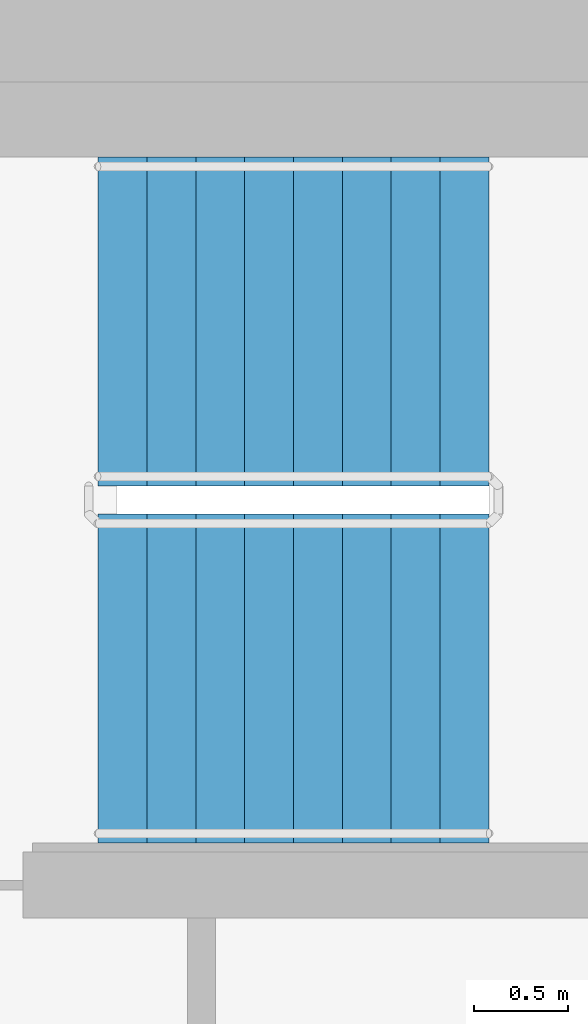
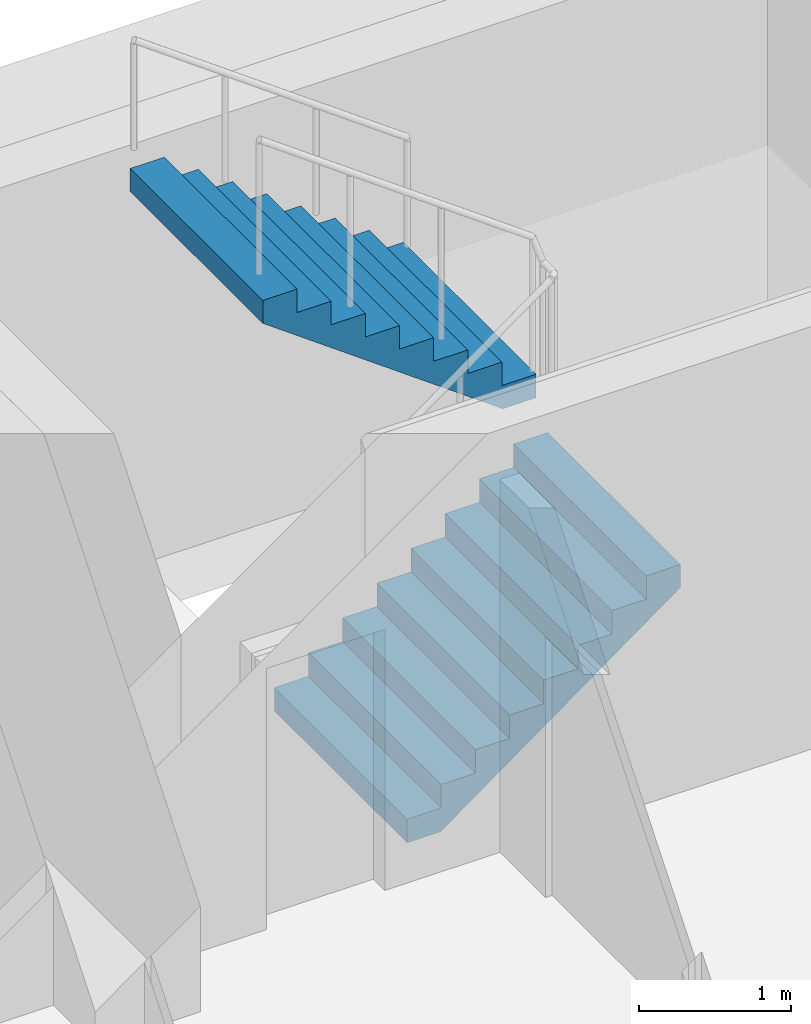
# One storey, part 15 of 20: 2 stair flights, 1 element without a shape of its own.
"""IFC4 building model written with IfcOpenShell, lengths in metres."""

from ifc_helpers import new_model, si_unit, direction, frame, origin, place, context, subcontext, project, spatial, faceted_brep, material, type_object, element, aggregate, save


model = new_model("IFC4")

# Units and contexts
model_context = context("Model", 3, precision=1e-05, world=origin(), true_north=direction((0.0, 1.0)))
body_context = subcontext(model_context, "Body", "Model", "MODEL_VIEW")
ifc_project = project(units=[si_unit("LENGTHUNIT", "METRE"), si_unit("AREAUNIT", "SQUARE_METRE"), si_unit("VOLUMEUNIT", "CUBIC_METRE"), si_unit("PLANEANGLEUNIT", "RADIAN"), si_unit("MASSUNIT", "GRAM", prefix="KILO")], contexts=[model_context])

# Site, building, storey
site_placement = place(None, origin())
site = spatial("IfcSite", under=ifc_project, at=site_placement, CompositionType="ELEMENT")
building_placement = place(site_placement, origin())
building = spatial("IfcBuilding", under=site, at=building_placement, Name="Ipe Terrace Towers", CompositionType="ELEMENT")
storey_placement = place(building_placement, frame((0.0, 0.0, 160.89990234375)))
storey = spatial("IfcBuildingStorey", under=building, at=storey_placement, Name="L44", CompositionType="ELEMENT", Elevation=160.89990234375)

# Stair, stair flights
ifc_material_1 = material(Name="Concrete C30/37", Category="concrete")
stair_type = type_object("IfcStairType", Name="Protected exit stair", PredefinedType="HALF_TURN_STAIR", material=ifc_material_1)
stair_placement = place(storey_placement, origin())
stair = element("IfcStair", 1, at=stair_placement, inside=storey, type_object=stair_type, Name="L44 Exit stair T1-C1", PredefinedType="HALF_TURN_STAIR")
ifc_material_2 = material(Name="Concrete C30/37", Category="concrete")
stair_flight_type = type_object("IfcStairFlightType", Name="Exit stair flight 1750", PredefinedType="STRAIGHT", material=ifc_material_2)
stair_flight_1_placement = place(storey_placement, frame((-26.300048828125, 2.77490234375, 0.0), z_axis=(0.0, 0.0, 1.0), x_axis=(1.0, 0.0, 0.0)))
stair_flight_1 = element("IfcStairFlight", 2, at=stair_flight_1_placement, type_object=stair_flight_type, Name="T1-ST1 flight 1", NumberOfRisers=9, NumberOfTreads=8, PredefinedType="STRAIGHT", RiserHeight=0.188888889, TreadLength=0.26, context=body_context, shape_type="Brep", body=[
    faceted_brep([(0.255126953125, -0.875, 0.0), (2.080078125, -0.875, 1.325927734375), (2.080078125, -0.875, 1.51123046875), (1.820068359375, -0.875, 1.51123046875), (1.820068359375, -0.875, 1.322265625), (1.56005859375, -0.875, 1.322265625), (1.56005859375, -0.875, 1.13330078125), (1.300048828125, -0.875, 1.13330078125), (1.300048828125, -0.875, 0.9443359375), (1.0400390625, -0.875, 0.9443359375), (1.0400390625, -0.875, 0.755615234375), (0.780029296875, -0.875, 0.755615234375), (0.780029296875, -0.875, 0.566650390625), (0.52001953125, -0.875, 0.566650390625), (0.52001953125, -0.875, 0.377685546875), (0.260009765625, -0.875, 0.377685546875), (0.260009765625, -0.875, 0.18896484375), (0.0, -0.875, 0.18896484375), (0.0, -0.875, 0.0), (0.0, 0.875, 0.0), (0.0, 0.875, 0.18896484375), (0.260009765625, 0.875, 0.18896484375), (0.260009765625, 0.875, 0.377685546875), (0.52001953125, 0.875, 0.377685546875), (0.52001953125, 0.875, 0.566650390625), (0.780029296875, 0.875, 0.566650390625), (0.780029296875, 0.875, 0.755615234375), (1.0400390625, 0.875, 0.755615234375), (1.0400390625, 0.875, 0.9443359375), (1.300048828125, 0.875, 0.9443359375), (1.300048828125, 0.875, 1.13330078125), (1.56005859375, 0.875, 1.13330078125), (1.56005859375, 0.875, 1.322265625), (1.820068359375, 0.875, 1.322265625), (1.820068359375, 0.875, 1.51123046875), (2.080078125, 0.875, 1.51123046875), (2.080078125, 0.875, 1.325927734375), (0.255126953125, 0.875, 0.0), (0.0, -0.300048828125, 0.18896484375), (0.0, -0.1201171875, 0.18896484375), (0.0, -0.06005859375, 0.18896484375), (0.0, -0.030029296875, 0.18896484375), (0.0, -0.010009765625, 0.18896484375), (0.0, 0.0, 0.18896484375), (0.0, 0.010009765625, 0.18896484375), (0.0, 0.030029296875, 0.18896484375), (0.0, 0.06005859375, 0.18896484375), (0.0, 0.1201171875, 0.18896484375), (0.0, 0.300048828125, 0.18896484375), (0.0, 0.300048828125, 0.0), (0.0, 0.1201171875, 0.0), (0.0, 0.06005859375, 0.0), (0.0, 0.030029296875, 0.0), (0.0, 0.010009765625, 0.0), (0.0, 0.0, 0.0), (0.0, -0.010009765625, 0.0), (0.0, -0.030029296875, 0.0), (0.0, -0.06005859375, 0.0), (0.0, -0.1201171875, 0.0), (0.0, -0.300048828125, 0.0), (0.260009765625, -0.300048828125, 0.18896484375), (0.260009765625, -0.1201171875, 0.18896484375), (0.260009765625, -0.06005859375, 0.18896484375), (0.260009765625, -0.030029296875, 0.18896484375), (0.260009765625, -0.010009765625, 0.18896484375), (0.260009765625, 0.0, 0.18896484375), (0.260009765625, 0.010009765625, 0.18896484375), (0.260009765625, 0.030029296875, 0.18896484375), (0.260009765625, 0.06005859375, 0.18896484375), (0.260009765625, 0.1201171875, 0.18896484375), (0.260009765625, 0.300048828125, 0.18896484375), (0.260009765625, -0.300048828125, 0.377685546875), (0.260009765625, -0.1201171875, 0.377685546875), (0.260009765625, -0.06005859375, 0.377685546875), (0.260009765625, -0.030029296875, 0.377685546875), (0.260009765625, -0.010009765625, 0.377685546875), (0.260009765625, 0.0, 0.377685546875), (0.260009765625, 0.010009765625, 0.377685546875), (0.260009765625, 0.030029296875, 0.377685546875), (0.260009765625, 0.06005859375, 0.377685546875), (0.260009765625, 0.1201171875, 0.377685546875), (0.260009765625, 0.300048828125, 0.377685546875), (0.52001953125, -0.300048828125, 0.377685546875), (0.52001953125, -0.1201171875, 0.377685546875), (0.52001953125, -0.06005859375, 0.377685546875), (0.52001953125, -0.030029296875, 0.377685546875), (0.52001953125, -0.010009765625, 0.377685546875), (0.52001953125, 0.0, 0.377685546875), (0.52001953125, 0.010009765625, 0.377685546875), (0.52001953125, 0.030029296875, 0.377685546875), (0.52001953125, 0.06005859375, 0.377685546875), (0.52001953125, 0.1201171875, 0.377685546875), (0.52001953125, 0.300048828125, 0.377685546875), (0.52001953125, -0.300048828125, 0.566650390625), (0.52001953125, -0.1201171875, 0.566650390625), (0.52001953125, -0.06005859375, 0.566650390625), (0.52001953125, -0.030029296875, 0.566650390625), (0.52001953125, -0.010009765625, 0.566650390625), (0.52001953125, 0.0, 0.566650390625), (0.52001953125, 0.010009765625, 0.566650390625), (0.52001953125, 0.030029296875, 0.566650390625), (0.52001953125, 0.06005859375, 0.566650390625), (0.52001953125, 0.1201171875, 0.566650390625), (0.52001953125, 0.300048828125, 0.566650390625), (0.780029296875, -0.300048828125, 0.566650390625), (0.780029296875, -0.1201171875, 0.566650390625), (0.780029296875, -0.06005859375, 0.566650390625), (0.780029296875, -0.030029296875, 0.566650390625), (0.780029296875, -0.010009765625, 0.566650390625), (0.780029296875, 0.0, 0.566650390625), (0.780029296875, 0.010009765625, 0.566650390625), (0.780029296875, 0.030029296875, 0.566650390625), (0.780029296875, 0.06005859375, 0.566650390625), (0.780029296875, 0.1201171875, 0.566650390625), (0.780029296875, 0.300048828125, 0.566650390625), (0.780029296875, -0.300048828125, 0.755615234375), (0.780029296875, -0.1201171875, 0.755615234375), (0.780029296875, -0.06005859375, 0.755615234375), (0.780029296875, -0.030029296875, 0.755615234375), (0.780029296875, -0.010009765625, 0.755615234375), (0.780029296875, 0.0, 0.755615234375), (0.780029296875, 0.010009765625, 0.755615234375), (0.780029296875, 0.030029296875, 0.755615234375), (0.780029296875, 0.06005859375, 0.755615234375), (0.780029296875, 0.1201171875, 0.755615234375), (0.780029296875, 0.300048828125, 0.755615234375), (1.0400390625, -0.300048828125, 0.755615234375), (1.0400390625, -0.1201171875, 0.755615234375), (1.0400390625, -0.06005859375, 0.755615234375), (1.0400390625, -0.030029296875, 0.755615234375), (1.0400390625, -0.010009765625, 0.755615234375), (1.0400390625, 0.0, 0.755615234375), (1.0400390625, 0.010009765625, 0.755615234375), (1.0400390625, 0.030029296875, 0.755615234375), (1.0400390625, 0.06005859375, 0.755615234375), (1.0400390625, 0.1201171875, 0.755615234375), (1.0400390625, 0.300048828125, 0.755615234375), (1.0400390625, -0.300048828125, 0.9443359375), (1.0400390625, -0.1201171875, 0.9443359375), (1.0400390625, -0.06005859375, 0.9443359375), (1.0400390625, -0.030029296875, 0.9443359375), (1.0400390625, -0.010009765625, 0.9443359375), (1.0400390625, 0.0, 0.9443359375), (1.0400390625, 0.010009765625, 0.9443359375), (1.0400390625, 0.030029296875, 0.9443359375), (1.0400390625, 0.06005859375, 0.9443359375), (1.0400390625, 0.1201171875, 0.9443359375), (1.0400390625, 0.300048828125, 0.9443359375), (1.300048828125, -0.300048828125, 0.9443359375), (1.300048828125, -0.1201171875, 0.9443359375), (1.300048828125, -0.06005859375, 0.9443359375), (1.300048828125, -0.030029296875, 0.9443359375), (1.300048828125, -0.010009765625, 0.9443359375), (1.300048828125, 0.0, 0.9443359375), (1.300048828125, 0.010009765625, 0.9443359375), (1.300048828125, 0.030029296875, 0.9443359375), (1.300048828125, 0.06005859375, 0.9443359375), (1.300048828125, 0.1201171875, 0.9443359375), (1.300048828125, 0.300048828125, 0.9443359375), (1.300048828125, -0.300048828125, 1.13330078125), (1.300048828125, -0.1201171875, 1.13330078125), (1.300048828125, -0.06005859375, 1.13330078125), (1.300048828125, -0.030029296875, 1.13330078125), (1.300048828125, -0.010009765625, 1.13330078125), (1.300048828125, 0.0, 1.13330078125), (1.300048828125, 0.010009765625, 1.13330078125), (1.300048828125, 0.030029296875, 1.13330078125), (1.300048828125, 0.06005859375, 1.13330078125), (1.300048828125, 0.1201171875, 1.13330078125), (1.300048828125, 0.300048828125, 1.13330078125), (1.56005859375, -0.300048828125, 1.13330078125), (1.56005859375, -0.1201171875, 1.13330078125), (1.56005859375, -0.06005859375, 1.13330078125), (1.56005859375, -0.030029296875, 1.13330078125), (1.56005859375, -0.010009765625, 1.13330078125), (1.56005859375, 0.0, 1.13330078125), (1.56005859375, 0.010009765625, 1.13330078125), (1.56005859375, 0.030029296875, 1.13330078125), (1.56005859375, 0.06005859375, 1.13330078125), (1.56005859375, 0.1201171875, 1.13330078125), (1.56005859375, 0.300048828125, 1.13330078125), (1.56005859375, -0.300048828125, 1.322265625), (1.56005859375, -0.1201171875, 1.322265625), (1.56005859375, -0.06005859375, 1.322265625), (1.56005859375, -0.030029296875, 1.322265625), (1.56005859375, -0.010009765625, 1.322265625), (1.56005859375, 0.0, 1.322265625), (1.56005859375, 0.010009765625, 1.322265625), (1.56005859375, 0.030029296875, 1.322265625), (1.56005859375, 0.06005859375, 1.322265625), (1.56005859375, 0.1201171875, 1.322265625), (1.56005859375, 0.300048828125, 1.322265625), (1.820068359375, -0.300048828125, 1.322265625), (1.820068359375, -0.1201171875, 1.322265625), (1.820068359375, -0.06005859375, 1.322265625), (1.820068359375, -0.030029296875, 1.322265625), (1.820068359375, -0.010009765625, 1.322265625), (1.820068359375, 0.0, 1.322265625), (1.820068359375, 0.010009765625, 1.322265625), (1.820068359375, 0.030029296875, 1.322265625), (1.820068359375, 0.06005859375, 1.322265625), (1.820068359375, 0.1201171875, 1.322265625), (1.820068359375, 0.300048828125, 1.322265625), (1.820068359375, -0.300048828125, 1.51123046875), (1.820068359375, -0.1201171875, 1.51123046875), (1.820068359375, -0.06005859375, 1.51123046875), (1.820068359375, -0.030029296875, 1.51123046875), (1.820068359375, -0.010009765625, 1.51123046875), (1.820068359375, 0.0, 1.51123046875), (1.820068359375, 0.010009765625, 1.51123046875), (1.820068359375, 0.030029296875, 1.51123046875), (1.820068359375, 0.06005859375, 1.51123046875), (1.820068359375, 0.1201171875, 1.51123046875), (1.820068359375, 0.300048828125, 1.51123046875), (2.080078125, -0.300048828125, 1.51123046875), (2.080078125, -0.1201171875, 1.51123046875), (2.080078125, -0.06005859375, 1.51123046875), (2.080078125, -0.030029296875, 1.51123046875), (2.080078125, -0.010009765625, 1.51123046875), (2.080078125, 0.0, 1.51123046875), (2.080078125, 0.010009765625, 1.51123046875), (2.080078125, 0.030029296875, 1.51123046875), (2.080078125, 0.06005859375, 1.51123046875), (2.080078125, 0.1201171875, 1.51123046875), (2.080078125, 0.300048828125, 1.51123046875), (2.080078125, -0.300048828125, 1.325927734375), (2.080078125, -0.1201171875, 1.325927734375), (2.080078125, -0.06005859375, 1.325927734375), (2.080078125, -0.030029296875, 1.325927734375), (2.080078125, -0.010009765625, 1.325927734375), (2.080078125, 0.0, 1.325927734375), (2.080078125, 0.010009765625, 1.325927734375), (2.080078125, 0.030029296875, 1.325927734375), (2.080078125, 0.06005859375, 1.325927734375), (2.080078125, 0.1201171875, 1.325927734375), (2.080078125, 0.300048828125, 1.325927734375), (0.255126953125, -0.300048828125, 0.0), (0.255126953125, -0.1201171875, 0.0), (0.255126953125, -0.06005859375, 0.0), (0.255126953125, -0.030029296875, 0.0), (0.255126953125, -0.010009765625, 0.0), (0.255126953125, 0.0, 0.0), (0.255126953125, 0.010009765625, 0.0), (0.255126953125, 0.030029296875, 0.0), (0.255126953125, 0.06005859375, 0.0), (0.255126953125, 0.1201171875, 0.0), (0.255126953125, 0.300048828125, 0.0)], [[[0, 1, 2, 3, 4, 5, 6, 7, 8, 9, 10, 11, 12, 13, 14, 15, 16, 17, 18]], [[19, 20, 21, 22, 23, 24, 25, 26, 27, 28, 29, 30, 31, 32, 33, 34, 35, 36, 37]], [[17, 38, 39, 40, 41, 42, 43, 44, 45, 46, 47, 48, 20, 19, 49, 50, 51, 52, 53, 54, 55, 56, 57, 58, 59, 18]], [[16, 60, 61, 62, 63, 64, 65, 66, 67, 68, 69, 70, 21, 20, 48, 47, 46, 45, 44, 43, 42, 41, 40, 39, 38, 17]], [[15, 71, 72, 73, 74, 75, 76, 77, 78, 79, 80, 81, 22, 21, 70, 69, 68, 67, 66, 65, 64, 63, 62, 61, 60, 16]], [[14, 82, 83, 84, 85, 86, 87, 88, 89, 90, 91, 92, 23, 22, 81, 80, 79, 78, 77, 76, 75, 74, 73, 72, 71, 15]], [[13, 93, 94, 95, 96, 97, 98, 99, 100, 101, 102, 103, 24, 23, 92, 91, 90, 89, 88, 87, 86, 85, 84, 83, 82, 14]], [[12, 104, 105, 106, 107, 108, 109, 110, 111, 112, 113, 114, 25, 24, 103, 102, 101, 100, 99, 98, 97, 96, 95, 94, 93, 13]], [[11, 115, 116, 117, 118, 119, 120, 121, 122, 123, 124, 125, 26, 25, 114, 113, 112, 111, 110, 109, 108, 107, 106, 105, 104, 12]], [[10, 126, 127, 128, 129, 130, 131, 132, 133, 134, 135, 136, 27, 26, 125, 124, 123, 122, 121, 120, 119, 118, 117, 116, 115, 11]], [[9, 137, 138, 139, 140, 141, 142, 143, 144, 145, 146, 147, 28, 27, 136, 135, 134, 133, 132, 131, 130, 129, 128, 127, 126, 10]], [[8, 148, 149, 150, 151, 152, 153, 154, 155, 156, 157, 158, 29, 28, 147, 146, 145, 144, 143, 142, 141, 140, 139, 138, 137, 9]], [[7, 159, 160, 161, 162, 163, 164, 165, 166, 167, 168, 169, 30, 29, 158, 157, 156, 155, 154, 153, 152, 151, 150, 149, 148, 8]], [[6, 170, 171, 172, 173, 174, 175, 176, 177, 178, 179, 180, 31, 30, 169, 168, 167, 166, 165, 164, 163, 162, 161, 160, 159, 7]], [[5, 181, 182, 183, 184, 185, 186, 187, 188, 189, 190, 191, 32, 31, 180, 179, 178, 177, 176, 175, 174, 173, 172, 171, 170, 6]], [[4, 192, 193, 194, 195, 196, 197, 198, 199, 200, 201, 202, 33, 32, 191, 190, 189, 188, 187, 186, 185, 184, 183, 182, 181, 5]], [[3, 203, 204, 205, 206, 207, 208, 209, 210, 211, 212, 213, 34, 33, 202, 201, 200, 199, 198, 197, 196, 195, 194, 193, 192, 4]], [[2, 214, 215, 216, 217, 218, 219, 220, 221, 222, 223, 224, 35, 34, 213, 212, 211, 210, 209, 208, 207, 206, 205, 204, 203, 3]], [[1, 225, 226, 227, 228, 229, 230, 231, 232, 233, 234, 235, 36, 35, 224, 223, 222, 221, 220, 219, 218, 217, 216, 215, 214, 2]], [[0, 236, 237, 238, 239, 240, 241, 242, 243, 244, 245, 246, 37, 36, 235, 234, 233, 232, 231, 230, 229, 228, 227, 226, 225, 1]], [[18, 59, 58, 57, 56, 55, 54, 53, 52, 51, 50, 49, 19, 37, 246, 245, 244, 243, 242, 241, 240, 239, 238, 237, 236, 0]]]),
])
stair_flight_2_placement = place(storey_placement, frame((-24.219970703125, 4.675048828125, 1.7001953125), z_axis=(0.0, 0.0, 1.0), x_axis=(-1.0, 0.0, 0.0)))
stair_flight_2 = element("IfcStairFlight", 3, at=stair_flight_2_placement, type_object=stair_flight_type, Name="T1-ST1 flight 2", NumberOfRisers=9, NumberOfTreads=8, PredefinedType="STRAIGHT", RiserHeight=0.188888889, TreadLength=0.26, context=body_context, shape_type="Brep", body=[
    faceted_brep([(0.255126953125, -0.875, 0.0), (2.080078125, -0.875, 1.325927734375), (2.080078125, -0.875, 1.51123046875), (1.820068359375, -0.875, 1.51123046875), (1.820068359375, -0.875, 1.322265625), (1.56005859375, -0.875, 1.322265625), (1.56005859375, -0.875, 1.13330078125), (1.300048828125, -0.875, 1.13330078125), (1.300048828125, -0.875, 0.9443359375), (1.0400390625, -0.875, 0.9443359375), (1.0400390625, -0.875, 0.755615234375), (0.780029296875, -0.875, 0.755615234375), (0.780029296875, -0.875, 0.566650390625), (0.52001953125, -0.875, 0.566650390625), (0.52001953125, -0.875, 0.377685546875), (0.260009765625, -0.875, 0.377685546875), (0.260009765625, -0.875, 0.18896484375), (0.0, -0.875, 0.18896484375), (0.0, -0.875, 0.0), (0.0, 0.875, 0.0), (0.0, 0.875, 0.18896484375), (0.260009765625, 0.875, 0.18896484375), (0.260009765625, 0.875, 0.377685546875), (0.52001953125, 0.875, 0.377685546875), (0.52001953125, 0.875, 0.566650390625), (0.780029296875, 0.875, 0.566650390625), (0.780029296875, 0.875, 0.755615234375), (1.0400390625, 0.875, 0.755615234375), (1.0400390625, 0.875, 0.9443359375), (1.300048828125, 0.875, 0.9443359375), (1.300048828125, 0.875, 1.13330078125), (1.56005859375, 0.875, 1.13330078125), (1.56005859375, 0.875, 1.322265625), (1.820068359375, 0.875, 1.322265625), (1.820068359375, 0.875, 1.51123046875), (2.080078125, 0.875, 1.51123046875), (2.080078125, 0.875, 1.325927734375), (0.255126953125, 0.875, 0.0), (0.0, -0.300048828125, 0.18896484375), (0.0, -0.1201171875, 0.18896484375), (0.0, -0.06005859375, 0.18896484375), (0.0, -0.030029296875, 0.18896484375), (0.0, -0.010009765625, 0.18896484375), (0.0, 0.0, 0.18896484375), (0.0, 0.010009765625, 0.18896484375), (0.0, 0.030029296875, 0.18896484375), (0.0, 0.06005859375, 0.18896484375), (0.0, 0.1201171875, 0.18896484375), (0.0, 0.300048828125, 0.18896484375), (0.0, 0.300048828125, 0.0), (0.0, 0.1201171875, 0.0), (0.0, 0.06005859375, 0.0), (0.0, 0.030029296875, 0.0), (0.0, 0.010009765625, 0.0), (0.0, 0.0, 0.0), (0.0, -0.010009765625, 0.0), (0.0, -0.030029296875, 0.0), (0.0, -0.06005859375, 0.0), (0.0, -0.1201171875, 0.0), (0.0, -0.300048828125, 0.0), (0.260009765625, -0.300048828125, 0.18896484375), (0.260009765625, -0.1201171875, 0.18896484375), (0.260009765625, -0.06005859375, 0.18896484375), (0.260009765625, -0.030029296875, 0.18896484375), (0.260009765625, -0.010009765625, 0.18896484375), (0.260009765625, 0.0, 0.18896484375), (0.260009765625, 0.010009765625, 0.18896484375), (0.260009765625, 0.030029296875, 0.18896484375), (0.260009765625, 0.06005859375, 0.18896484375), (0.260009765625, 0.1201171875, 0.18896484375), (0.260009765625, 0.300048828125, 0.18896484375), (0.260009765625, -0.300048828125, 0.377685546875), (0.260009765625, -0.1201171875, 0.377685546875), (0.260009765625, -0.06005859375, 0.377685546875), (0.260009765625, -0.030029296875, 0.377685546875), (0.260009765625, -0.010009765625, 0.377685546875), (0.260009765625, 0.0, 0.377685546875), (0.260009765625, 0.010009765625, 0.377685546875), (0.260009765625, 0.030029296875, 0.377685546875), (0.260009765625, 0.06005859375, 0.377685546875), (0.260009765625, 0.1201171875, 0.377685546875), (0.260009765625, 0.300048828125, 0.377685546875), (0.52001953125, -0.300048828125, 0.377685546875), (0.52001953125, -0.1201171875, 0.377685546875), (0.52001953125, -0.06005859375, 0.377685546875), (0.52001953125, -0.030029296875, 0.377685546875), (0.52001953125, -0.010009765625, 0.377685546875), (0.52001953125, 0.0, 0.377685546875), (0.52001953125, 0.010009765625, 0.377685546875), (0.52001953125, 0.030029296875, 0.377685546875), (0.52001953125, 0.06005859375, 0.377685546875), (0.52001953125, 0.1201171875, 0.377685546875), (0.52001953125, 0.300048828125, 0.377685546875), (0.52001953125, -0.300048828125, 0.566650390625), (0.52001953125, -0.1201171875, 0.566650390625), (0.52001953125, -0.06005859375, 0.566650390625), (0.52001953125, -0.030029296875, 0.566650390625), (0.52001953125, -0.010009765625, 0.566650390625), (0.52001953125, 0.0, 0.566650390625), (0.52001953125, 0.010009765625, 0.566650390625), (0.52001953125, 0.030029296875, 0.566650390625), (0.52001953125, 0.06005859375, 0.566650390625), (0.52001953125, 0.1201171875, 0.566650390625), (0.52001953125, 0.300048828125, 0.566650390625), (0.780029296875, -0.300048828125, 0.566650390625), (0.780029296875, -0.1201171875, 0.566650390625), (0.780029296875, -0.06005859375, 0.566650390625), (0.780029296875, -0.030029296875, 0.566650390625), (0.780029296875, -0.010009765625, 0.566650390625), (0.780029296875, 0.0, 0.566650390625), (0.780029296875, 0.010009765625, 0.566650390625), (0.780029296875, 0.030029296875, 0.566650390625), (0.780029296875, 0.06005859375, 0.566650390625), (0.780029296875, 0.1201171875, 0.566650390625), (0.780029296875, 0.300048828125, 0.566650390625), (0.780029296875, -0.300048828125, 0.755615234375), (0.780029296875, -0.1201171875, 0.755615234375), (0.780029296875, -0.06005859375, 0.755615234375), (0.780029296875, -0.030029296875, 0.755615234375), (0.780029296875, -0.010009765625, 0.755615234375), (0.780029296875, 0.0, 0.755615234375), (0.780029296875, 0.010009765625, 0.755615234375), (0.780029296875, 0.030029296875, 0.755615234375), (0.780029296875, 0.06005859375, 0.755615234375), (0.780029296875, 0.1201171875, 0.755615234375), (0.780029296875, 0.300048828125, 0.755615234375), (1.0400390625, -0.300048828125, 0.755615234375), (1.0400390625, -0.1201171875, 0.755615234375), (1.0400390625, -0.06005859375, 0.755615234375), (1.0400390625, -0.030029296875, 0.755615234375), (1.0400390625, -0.010009765625, 0.755615234375), (1.0400390625, 0.0, 0.755615234375), (1.0400390625, 0.010009765625, 0.755615234375), (1.0400390625, 0.030029296875, 0.755615234375), (1.0400390625, 0.06005859375, 0.755615234375), (1.0400390625, 0.1201171875, 0.755615234375), (1.0400390625, 0.300048828125, 0.755615234375), (1.0400390625, -0.300048828125, 0.9443359375), (1.0400390625, -0.1201171875, 0.9443359375), (1.0400390625, -0.06005859375, 0.9443359375), (1.0400390625, -0.030029296875, 0.9443359375), (1.0400390625, -0.010009765625, 0.9443359375), (1.0400390625, 0.0, 0.9443359375), (1.0400390625, 0.010009765625, 0.9443359375), (1.0400390625, 0.030029296875, 0.9443359375), (1.0400390625, 0.06005859375, 0.9443359375), (1.0400390625, 0.1201171875, 0.9443359375), (1.0400390625, 0.300048828125, 0.9443359375), (1.300048828125, -0.300048828125, 0.9443359375), (1.300048828125, -0.1201171875, 0.9443359375), (1.300048828125, -0.06005859375, 0.9443359375), (1.300048828125, -0.030029296875, 0.9443359375), (1.300048828125, -0.010009765625, 0.9443359375), (1.300048828125, 0.0, 0.9443359375), (1.300048828125, 0.010009765625, 0.9443359375), (1.300048828125, 0.030029296875, 0.9443359375), (1.300048828125, 0.06005859375, 0.9443359375), (1.300048828125, 0.1201171875, 0.9443359375), (1.300048828125, 0.300048828125, 0.9443359375), (1.300048828125, -0.300048828125, 1.13330078125), (1.300048828125, -0.1201171875, 1.13330078125), (1.300048828125, -0.06005859375, 1.13330078125), (1.300048828125, -0.030029296875, 1.13330078125), (1.300048828125, -0.010009765625, 1.13330078125), (1.300048828125, 0.0, 1.13330078125), (1.300048828125, 0.010009765625, 1.13330078125), (1.300048828125, 0.030029296875, 1.13330078125), (1.300048828125, 0.06005859375, 1.13330078125), (1.300048828125, 0.1201171875, 1.13330078125), (1.300048828125, 0.300048828125, 1.13330078125), (1.56005859375, -0.300048828125, 1.13330078125), (1.56005859375, -0.1201171875, 1.13330078125), (1.56005859375, -0.06005859375, 1.13330078125), (1.56005859375, -0.030029296875, 1.13330078125), (1.56005859375, -0.010009765625, 1.13330078125), (1.56005859375, 0.0, 1.13330078125), (1.56005859375, 0.010009765625, 1.13330078125), (1.56005859375, 0.030029296875, 1.13330078125), (1.56005859375, 0.06005859375, 1.13330078125), (1.56005859375, 0.1201171875, 1.13330078125), (1.56005859375, 0.300048828125, 1.13330078125), (1.56005859375, -0.300048828125, 1.322265625), (1.56005859375, -0.1201171875, 1.322265625), (1.56005859375, -0.06005859375, 1.322265625), (1.56005859375, -0.030029296875, 1.322265625), (1.56005859375, -0.010009765625, 1.322265625), (1.56005859375, 0.0, 1.322265625), (1.56005859375, 0.010009765625, 1.322265625), (1.56005859375, 0.030029296875, 1.322265625), (1.56005859375, 0.06005859375, 1.322265625), (1.56005859375, 0.1201171875, 1.322265625), (1.56005859375, 0.300048828125, 1.322265625), (1.820068359375, -0.300048828125, 1.322265625), (1.820068359375, -0.1201171875, 1.322265625), (1.820068359375, -0.06005859375, 1.322265625), (1.820068359375, -0.030029296875, 1.322265625), (1.820068359375, -0.010009765625, 1.322265625), (1.820068359375, 0.0, 1.322265625), (1.820068359375, 0.010009765625, 1.322265625), (1.820068359375, 0.030029296875, 1.322265625), (1.820068359375, 0.06005859375, 1.322265625), (1.820068359375, 0.1201171875, 1.322265625), (1.820068359375, 0.300048828125, 1.322265625), (1.820068359375, -0.300048828125, 1.51123046875), (1.820068359375, -0.1201171875, 1.51123046875), (1.820068359375, -0.06005859375, 1.51123046875), (1.820068359375, -0.030029296875, 1.51123046875), (1.820068359375, -0.010009765625, 1.51123046875), (1.820068359375, 0.0, 1.51123046875), (1.820068359375, 0.010009765625, 1.51123046875), (1.820068359375, 0.030029296875, 1.51123046875), (1.820068359375, 0.06005859375, 1.51123046875), (1.820068359375, 0.1201171875, 1.51123046875), (1.820068359375, 0.300048828125, 1.51123046875), (2.080078125, -0.300048828125, 1.51123046875), (2.080078125, -0.1201171875, 1.51123046875), (2.080078125, -0.06005859375, 1.51123046875), (2.080078125, -0.030029296875, 1.51123046875), (2.080078125, -0.010009765625, 1.51123046875), (2.080078125, 0.0, 1.51123046875), (2.080078125, 0.010009765625, 1.51123046875), (2.080078125, 0.030029296875, 1.51123046875), (2.080078125, 0.06005859375, 1.51123046875), (2.080078125, 0.1201171875, 1.51123046875), (2.080078125, 0.300048828125, 1.51123046875), (2.080078125, -0.300048828125, 1.325927734375), (2.080078125, -0.1201171875, 1.325927734375), (2.080078125, -0.06005859375, 1.325927734375), (2.080078125, -0.030029296875, 1.325927734375), (2.080078125, -0.010009765625, 1.325927734375), (2.080078125, 0.0, 1.325927734375), (2.080078125, 0.010009765625, 1.325927734375), (2.080078125, 0.030029296875, 1.325927734375), (2.080078125, 0.06005859375, 1.325927734375), (2.080078125, 0.1201171875, 1.325927734375), (2.080078125, 0.300048828125, 1.325927734375), (0.255126953125, -0.300048828125, 0.0), (0.255126953125, -0.1201171875, 0.0), (0.255126953125, -0.06005859375, 0.0), (0.255126953125, -0.030029296875, 0.0), (0.255126953125, -0.010009765625, 0.0), (0.255126953125, 0.0, 0.0), (0.255126953125, 0.010009765625, 0.0), (0.255126953125, 0.030029296875, 0.0), (0.255126953125, 0.06005859375, 0.0), (0.255126953125, 0.1201171875, 0.0), (0.255126953125, 0.300048828125, 0.0)], [[[0, 1, 2, 3, 4, 5, 6, 7, 8, 9, 10, 11, 12, 13, 14, 15, 16, 17, 18]], [[19, 20, 21, 22, 23, 24, 25, 26, 27, 28, 29, 30, 31, 32, 33, 34, 35, 36, 37]], [[17, 38, 39, 40, 41, 42, 43, 44, 45, 46, 47, 48, 20, 19, 49, 50, 51, 52, 53, 54, 55, 56, 57, 58, 59, 18]], [[16, 60, 61, 62, 63, 64, 65, 66, 67, 68, 69, 70, 21, 20, 48, 47, 46, 45, 44, 43, 42, 41, 40, 39, 38, 17]], [[15, 71, 72, 73, 74, 75, 76, 77, 78, 79, 80, 81, 22, 21, 70, 69, 68, 67, 66, 65, 64, 63, 62, 61, 60, 16]], [[14, 82, 83, 84, 85, 86, 87, 88, 89, 90, 91, 92, 23, 22, 81, 80, 79, 78, 77, 76, 75, 74, 73, 72, 71, 15]], [[13, 93, 94, 95, 96, 97, 98, 99, 100, 101, 102, 103, 24, 23, 92, 91, 90, 89, 88, 87, 86, 85, 84, 83, 82, 14]], [[12, 104, 105, 106, 107, 108, 109, 110, 111, 112, 113, 114, 25, 24, 103, 102, 101, 100, 99, 98, 97, 96, 95, 94, 93, 13]], [[11, 115, 116, 117, 118, 119, 120, 121, 122, 123, 124, 125, 26, 25, 114, 113, 112, 111, 110, 109, 108, 107, 106, 105, 104, 12]], [[10, 126, 127, 128, 129, 130, 131, 132, 133, 134, 135, 136, 27, 26, 125, 124, 123, 122, 121, 120, 119, 118, 117, 116, 115, 11]], [[9, 137, 138, 139, 140, 141, 142, 143, 144, 145, 146, 147, 28, 27, 136, 135, 134, 133, 132, 131, 130, 129, 128, 127, 126, 10]], [[8, 148, 149, 150, 151, 152, 153, 154, 155, 156, 157, 158, 29, 28, 147, 146, 145, 144, 143, 142, 141, 140, 139, 138, 137, 9]], [[7, 159, 160, 161, 162, 163, 164, 165, 166, 167, 168, 169, 30, 29, 158, 157, 156, 155, 154, 153, 152, 151, 150, 149, 148, 8]], [[6, 170, 171, 172, 173, 174, 175, 176, 177, 178, 179, 180, 31, 30, 169, 168, 167, 166, 165, 164, 163, 162, 161, 160, 159, 7]], [[5, 181, 182, 183, 184, 185, 186, 187, 188, 189, 190, 191, 32, 31, 180, 179, 178, 177, 176, 175, 174, 173, 172, 171, 170, 6]], [[4, 192, 193, 194, 195, 196, 197, 198, 199, 200, 201, 202, 33, 32, 191, 190, 189, 188, 187, 186, 185, 184, 183, 182, 181, 5]], [[3, 203, 204, 205, 206, 207, 208, 209, 210, 211, 212, 213, 34, 33, 202, 201, 200, 199, 198, 197, 196, 195, 194, 193, 192, 4]], [[2, 214, 215, 216, 217, 218, 219, 220, 221, 222, 223, 224, 35, 34, 213, 212, 211, 210, 209, 208, 207, 206, 205, 204, 203, 3]], [[1, 225, 226, 227, 228, 229, 230, 231, 232, 233, 234, 235, 36, 35, 224, 223, 222, 221, 220, 219, 218, 217, 216, 215, 214, 2]], [[0, 236, 237, 238, 239, 240, 241, 242, 243, 244, 245, 246, 37, 36, 235, 234, 233, 232, 231, 230, 229, 228, 227, 226, 225, 1]], [[18, 59, 58, 57, 56, 55, 54, 53, 52, 51, 50, 49, 19, 37, 246, 245, 244, 243, 242, 241, 240, 239, 238, 237, 236, 0]]]),
])
aggregate(stair, [stair_flight_1, stair_flight_2])

save(model, "model.ifc")
